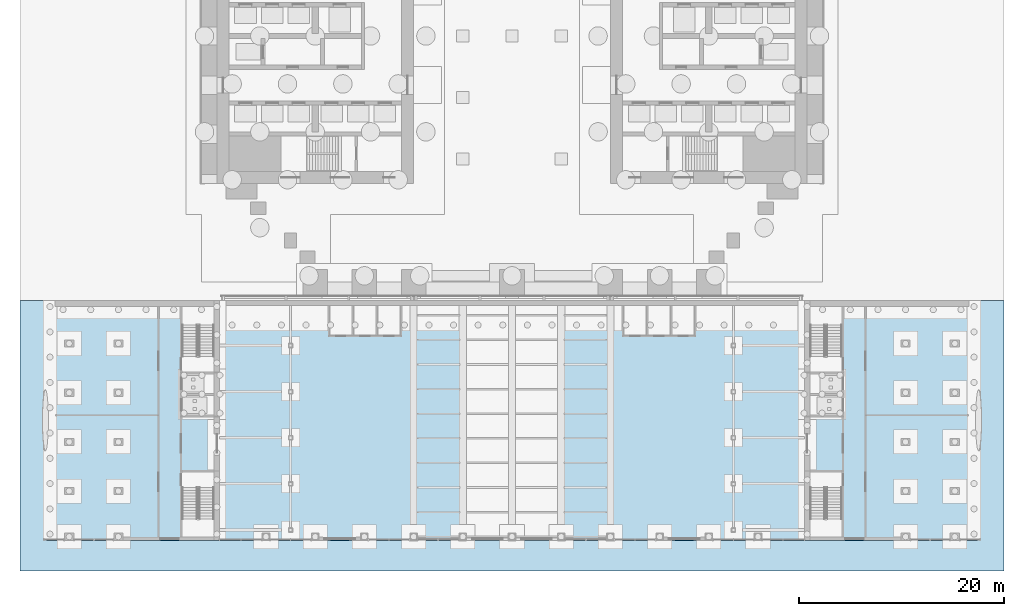
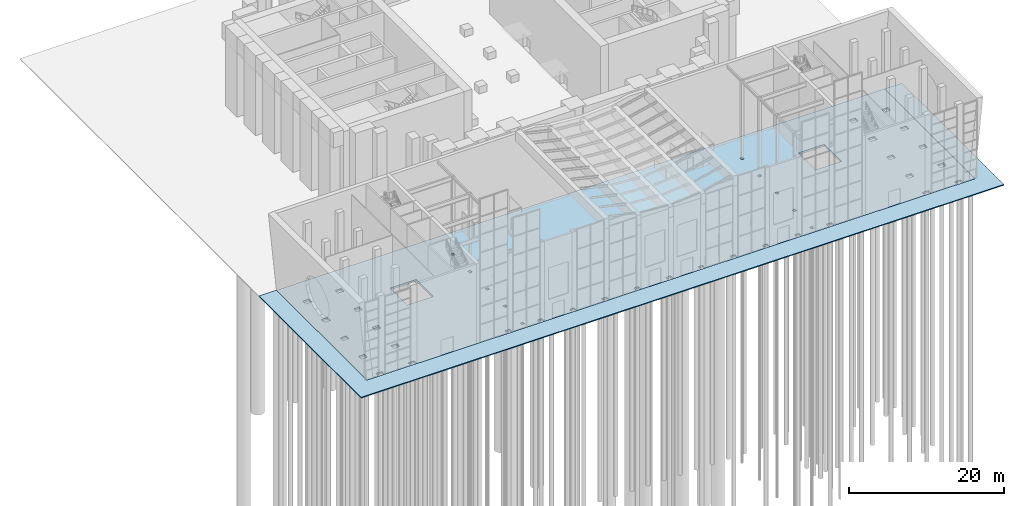
# One storey, part 40 of 58: 2 slabs.
"""IFC4 building model written with IfcOpenShell, lengths in metres."""

import ifcopenshell
import ifcopenshell.guid

model = None  # the IFC model being written
_history = None  # IfcOwnerHistory: only IFC2X3 demands one
_inside = {}  # id of a spatial element -> (the spatial element, [elements in it])
_under = {}  # id of a project, library or spatial element -> (it, [spatial elements below it])
_declared = {}  # id of a project -> (the project, [libraries it declares])
_typed = {}  # id of a type object -> (the type object, [elements of that type])
_made_of = {}  # id of a material, layer set ... -> (it, [elements and type objects made of it])


def new_model(schema):
    """Start an empty IFC model of exactly this schema.

    Asked for "IFC4X3", IfcOpenShell would pick the latest addendum, in which some entities
    have other attributes; the version numbers below select the first issue.
    IFC2X3 requires an IfcOwnerHistory on every rooted entity: one is made here for all.
    """
    global model, _history
    if schema == "IFC4X3":
        model = ifcopenshell.file(schema_version=(4, 3, 0, 0))
    else:
        model = ifcopenshell.file(schema=schema)
    _inside.clear()
    _under.clear()
    _declared.clear()
    _typed.clear()
    _made_of.clear()
    _history = None
    if model.schema == "IFC2X3":
        org = make("IfcOrganization", Name="unknown")
        user = make(
            "IfcPersonAndOrganization",
            ThePerson=make("IfcPerson", FamilyName="unknown"),
            TheOrganization=org,
        )
        app = make(
            "IfcApplication",
            ApplicationDeveloper=org,
            Version="unknown",
            ApplicationFullName="unknown",
            ApplicationIdentifier="unknown",
        )
        _history = make(
            "IfcOwnerHistory",
            OwningUser=user,
            OwningApplication=app,
            ChangeAction="ADDED",
            CreationDate=0,
        )
    return model


def make(cls, **values):
    """One entity of the class cls with the attributes given. An attribute that is None is left unset."""
    return model.create_entity(
        cls, **{name: value for name, value in values.items() if value is not None}
    )


def rooted(cls, **values):
    """An entity with a GlobalId (a new one), such as an element, a storey or a relation."""
    return make(cls, GlobalId=ifcopenshell.guid.new(), OwnerHistory=_history, **values)


def si_unit(unit_type, name, prefix=None):
    """IfcSIUnit, for example si_unit("LENGTHUNIT", "METRE", prefix="MILLI")."""
    return make("IfcSIUnit", UnitType=unit_type, Prefix=prefix, Name=name)


def assignment(units):
    """IfcUnitAssignment: the units of a project."""
    return None if units is None else make("IfcUnitAssignment", Units=units)


def point(xyz):
    """IfcCartesianPoint."""
    return None if xyz is None else make("IfcCartesianPoint", Coordinates=xyz)


def direction(xyz):
    """IfcDirection."""
    return None if xyz is None else make("IfcDirection", DirectionRatios=xyz)


def frame(location, z_axis=None, x_axis=None):
    """IfcAxis2Placement3D, a coordinate frame: its origin and axes. An axis left out is left unset."""
    return make(
        "IfcAxis2Placement3D",
        Location=point(location),
        Axis=direction(z_axis),
        RefDirection=direction(x_axis),
    )


def origin():
    """The frame at (0, 0, 0) with its axes left unset."""
    return frame((0.0, 0.0, 0.0))


def place(relative_to, where):
    """IfcLocalPlacement: puts the frame where relative to a parent placement (None: the world)."""
    return make(
        "IfcLocalPlacement", PlacementRelTo=relative_to, RelativePlacement=where
    )


def context(
    kind, dimensions, precision=None, world=None, true_north=None, identifier=None
):
    """IfcGeometricRepresentationContext, for example the 3D "Model" context."""
    return make(
        "IfcGeometricRepresentationContext",
        ContextIdentifier=identifier,
        ContextType=kind,
        CoordinateSpaceDimension=dimensions,
        Precision=precision,
        WorldCoordinateSystem=world,
        TrueNorth=true_north,
    )


def subcontext(parent, identifier, kind, view, scale=None):
    """IfcGeometricRepresentationSubContext, for example "Body" below "Model"."""
    return make(
        "IfcGeometricRepresentationSubContext",
        ContextIdentifier=identifier,
        ContextType=kind,
        ParentContext=parent,
        TargetScale=scale,
        TargetView=view,
    )


def project(units=None, contexts=None):
    """IfcProject with its units and contexts."""
    return rooted(
        "IfcProject",
        Name="project",
        RepresentationContexts=contexts,
        UnitsInContext=assignment(units),
    )


def spatial(cls, under=None, at=None, **own):
    """A site, building, storey or space (cls), placed at a placement, below another one or the project."""
    s = rooted(cls, ObjectPlacement=at, **own)
    if under is not None:
        _under.setdefault(under.id(), (under, []))[1].append(s)
    return s


def polyline(points):
    """IfcPolyline through the points."""
    return make("IfcPolyline", Points=[point(p) for p in points])


def outline(outer, holes=None, kind="AREA"):
    """IfcArbitraryClosedProfileDef: a profile drawn as a closed curve; with holes, ...WithVoids."""
    if holes is None:
        return make("IfcArbitraryClosedProfileDef", ProfileType=kind, OuterCurve=outer)
    return make(
        "IfcArbitraryProfileDefWithVoids",
        ProfileType=kind,
        OuterCurve=outer,
        InnerCurves=holes,
    )


def extrude(swept, where, along, depth):
    """IfcExtrudedAreaSolid: the profile swept, set in the frame where, extruded along a direction by depth."""
    return make(
        "IfcExtrudedAreaSolid",
        SweptArea=swept,
        Position=where,
        ExtrudedDirection=direction(along),
        Depth=depth,
    )


def shape(context_of_items, identifier, shape_type, items):
    """IfcShapeRepresentation: the items that make up one representation, for example the "Body"."""
    return make(
        "IfcShapeRepresentation",
        ContextOfItems=context_of_items,
        RepresentationIdentifier=identifier,
        RepresentationType=shape_type,
        Items=items,
    )


def material(Name=None, Category=None):
    """IfcMaterial."""
    return make("IfcMaterial", Name=Name, Category=Category)


def layer(
    of_material, thickness, ventilated=None, Name=None, Category=None, Priority=None
):
    """IfcMaterialLayer: one layer of a wall or slab, of a material (None: an air gap)."""
    return make(
        "IfcMaterialLayer",
        Material=of_material,
        LayerThickness=thickness,
        IsVentilated=ventilated,
        Name=Name,
        Category=Category,
        Priority=Priority,
    )


def layer_set(layers, Name=None):
    """IfcMaterialLayerSet."""
    return make("IfcMaterialLayerSet", MaterialLayers=layers, LayerSetName=Name)


def made_of(thing, what):
    """Note that an element or type object is made of a material, layer set ...; save() writes the relation."""
    if what is not None:
        _made_of.setdefault(what.id(), (what, []))[1].append(thing)
    return thing


def type_object(cls, material=None, **own):
    """A type object (cls), such as IfcWallType, which elements share."""
    return made_of(rooted(cls, **own), material)


def element(
    cls,
    number,
    at=None,
    inside=None,
    cuts=None,
    type_object=None,
    material=None,
    context=None,
    identifier="Body",
    shape_type=None,
    held_by="IfcProductDefinitionShape",
    body=None,
    shapes=None,
    **own,
):
    """One element of the class cls, such as IfcWall. Its Tag is "e" and its number.

    at: its placement. inside: the storey or other place that contains it. cuts: it is an
    opening in that element (IfcRelVoidsElement). A single representation is given by context,
    identifier, shape_type and body (its items); several are given by shapes. held_by: the class
    of the entity that holds the representations. save() writes the other relations.
    """
    e = rooted(cls, Tag="e%d" % number, ObjectPlacement=at, **own)
    if body is not None:
        shapes = [shape(context, identifier, shape_type, body)]
    if shapes is not None:
        e.Representation = make(held_by, Representations=shapes)
    if inside is not None:
        _inside.setdefault(inside.id(), (inside, []))[1].append(e)
    if cuts is not None:
        rooted(
            "IfcRelVoidsElement", RelatingBuildingElement=cuts, RelatedOpeningElement=e
        )
    if type_object is not None:
        _typed.setdefault(type_object.id(), (type_object, []))[1].append(e)
    return made_of(e, material)


def aggregate(whole, parts):
    """IfcRelAggregates: a whole, such as a stair, and the parts it consists of."""
    return rooted("IfcRelAggregates", RelatingObject=whole, RelatedObjects=parts)


def save(model, path):
    """Write the relations noted so far, then the file.

    IfcRelAggregates (storeys below a building ...), IfcRelContainedInSpatialStructure (elements
    in a storey), IfcRelDefinesByType, IfcRelAssociatesMaterial and IfcRelDeclares: one each for
    every whole, place, type object, material and project.
    """
    for whole, parts in _under.values():
        aggregate(whole, parts)
    for where, things in _inside.values():
        rooted(
            "IfcRelContainedInSpatialStructure",
            RelatedElements=things,
            RelatingStructure=where,
        )
    for kind, things in _typed.values():
        rooted("IfcRelDefinesByType", RelatedObjects=things, RelatingType=kind)
    for what, things in _made_of.values():
        rooted("IfcRelAssociatesMaterial", RelatedObjects=things, RelatingMaterial=what)
    for by, libraries in _declared.values():
        rooted("IfcRelDeclares", RelatingContext=by, RelatedDefinitions=libraries)
    model.write(path)


model = new_model("IFC4")

# Units and contexts
model_context = context("Model", 3, precision=1e-05, world=origin(), true_north=direction((0.0, 1.0)))
body_context = subcontext(model_context, "Body", "Model", "MODEL_VIEW")
ifc_project = project(units=[si_unit("LENGTHUNIT", "METRE"), si_unit("AREAUNIT", "SQUARE_METRE"), si_unit("VOLUMEUNIT", "CUBIC_METRE"), si_unit("PLANEANGLEUNIT", "RADIAN"), si_unit("MASSUNIT", "GRAM", prefix="KILO")], contexts=[model_context])

# Site, building, storey
site_placement = place(None, origin())
site = spatial("IfcSite", under=ifc_project, at=site_placement, CompositionType="ELEMENT")
building_placement = place(site_placement, origin())
building = spatial("IfcBuilding", under=site, at=building_placement, Name="Baori Bourse Tower", CompositionType="ELEMENT")
storey_placement = place(building_placement, origin())
storey = spatial("IfcBuildingStorey", under=building, at=storey_placement, Name="L00", CompositionType="ELEMENT", Elevation=0.0)

# Slabs
ifc_material_1 = material(Name="Granite paving", Category="masonry")
ifc_layer_1 = layer(ifc_material_1, 0.14990234375)
ifc_layer_set_1 = layer_set([ifc_layer_1], Name="Apron paving 150")
slab_type_1 = type_object("IfcSlabType", Name="Apron paving 150", PredefinedType="BASESLAB", material=ifc_layer_set_1)
slab_1_placement = place(storey_placement, frame((0.0, 0.0, -0.14990234375)))
element("IfcSlab", 1, at=slab_1_placement, inside=storey, type_object=slab_type_1, Name="Apron paving", PredefinedType="BASESLAB", context=body_context, shape_type="SweptSolid", body=[
    extrude(outline(polyline([(76.800048828125, -28.199951171875), (76.800048828125, -1.800048828125), (74.193603515625, -1.800048828125), (74.193603515625, -25.199951171875), (-16.593505859375, -25.199951171875), (-16.593505859375, -1.800048828125), (-19.199951171875, -1.800048828125), (-19.199951171875, -28.199951171875), (76.800048828125, -28.199951171875)])), origin(), (0.0, 0.0, 1.0), 0.14990234375),
])
ifc_material_2 = material(Name="Concrete f'c 40 MPa", Category="concrete")
ifc_layer_2 = layer(ifc_material_2, 0.300048828125)
ifc_layer_set_2 = layer_set([ifc_layer_2], Name="Wing ground slab 300")
slab_type_2 = type_object("IfcSlabType", Name="Wing ground slab 300", PredefinedType="BASESLAB", material=ifc_layer_set_2)
slab_2_placement = place(storey_placement, frame((0.0, 0.0, -0.300048828125)))
element("IfcSlab", 2, at=slab_2_placement, inside=storey, type_object=slab_type_2, Name="wing/L00/ground/001", PredefinedType="BASESLAB", context=body_context, shape_type="SweptSolid", body=[
    extrude(outline(polyline([(52.449951171875, -25.199951171875), (52.449951171875, -24.5), (53.14990234375, -24.5), (53.14990234375, -25.199951171875), (66.75, -25.199951171875), (66.75, -24.5), (67.64990234375, -24.5), (67.64990234375, -25.199951171875), (71.550048828125, -25.199951171875), (71.550048828125, -24.5), (72.449951171875, -24.5), (72.449951171875, -25.199951171875), (74.193603515625, -25.199951171875), (74.193603515625, -1.800048828125), (-16.593505859375, -1.800048828125), (-16.593505859375, -25.199951171875), (-14.85009765625, -25.199951171875), (-14.85009765625, -24.5), (-13.949951171875, -24.5), (-13.949951171875, -25.199951171875), (-10.050048828125, -25.199951171875), (-10.050048828125, -24.5), (-9.14990234375, -24.5), (-9.14990234375, -25.199951171875), (4.449951171875, -25.199951171875), (4.449951171875, -24.5), (5.14990234375, -24.5), (5.14990234375, -25.199951171875), (9.25, -25.199951171875), (9.25, -24.5), (9.949951171875, -24.5), (9.949951171875, -25.199951171875), (14.050048828125, -25.199951171875), (14.050048828125, -24.5), (14.75, -24.5), (14.75, -25.199951171875), (18.85009765625, -25.199951171875), (18.85009765625, -24.5), (19.550048828125, -24.5), (19.550048828125, -25.199951171875), (23.64990234375, -25.199951171875), (23.64990234375, -24.5), (24.35009765625, -24.5), (24.35009765625, -25.199951171875), (28.449951171875, -25.199951171875), (28.449951171875, -24.5), (29.14990234375, -24.5), (29.14990234375, -25.199951171875), (33.25, -25.199951171875), (33.25, -24.5), (33.949951171875, -24.5), (33.949951171875, -25.199951171875), (38.050048828125, -25.199951171875), (38.050048828125, -24.5), (38.75, -24.5), (38.75, -25.199951171875), (42.85009765625, -25.199951171875), (42.85009765625, -24.5), (43.550048828125, -24.5), (43.550048828125, -25.199951171875), (47.64990234375, -25.199951171875), (47.64990234375, -24.5), (48.35009765625, -24.5), (48.35009765625, -25.199951171875), (52.449951171875, -25.199951171875)]), holes=[polyline([(-14.85009765625, -20.75), (-13.949951171875, -20.75), (-13.949951171875, -20.050048828125), (-14.85009765625, -20.050048828125), (-14.85009765625, -20.75)]), polyline([(-14.85009765625, -15.25), (-14.85009765625, -15.949951171875), (-13.949951171875, -15.949951171875), (-13.949951171875, -15.25), (-14.85009765625, -15.25)]), polyline([(-13.949951171875, -10.449951171875), (-14.85009765625, -10.449951171875), (-14.85009765625, -11.14990234375), (-13.949951171875, -11.14990234375), (-13.949951171875, -10.449951171875)]), polyline([(-13.949951171875, -6.35009765625), (-13.949951171875, -5.64990234375), (-14.85009765625, -5.64990234375), (-14.85009765625, -6.35009765625), (-13.949951171875, -6.35009765625)]), polyline([(-10.050048828125, -20.050048828125), (-10.050048828125, -20.75), (-9.14990234375, -20.75), (-9.14990234375, -20.050048828125), (-10.050048828125, -20.050048828125)]), polyline([(-9.14990234375, -15.25), (-10.050048828125, -15.25), (-10.050048828125, -15.949951171875), (-9.14990234375, -15.949951171875), (-9.14990234375, -15.25)]), polyline([(-9.14990234375, -11.14990234375), (-9.14990234375, -10.449951171875), (-10.050048828125, -10.449951171875), (-10.050048828125, -11.14990234375), (-9.14990234375, -11.14990234375)]), polyline([(-10.050048828125, -6.35009765625), (-9.14990234375, -6.35009765625), (-9.14990234375, -5.64990234375), (-10.050048828125, -5.64990234375), (-10.050048828125, -6.35009765625)]), polyline([(72.449951171875, -20.050048828125), (71.550048828125, -20.050048828125), (71.550048828125, -20.75), (72.449951171875, -20.75), (72.449951171875, -20.050048828125)]), polyline([(72.449951171875, -15.949951171875), (72.449951171875, -15.25), (71.550048828125, -15.25), (71.550048828125, -15.949951171875), (72.449951171875, -15.949951171875)]), polyline([(71.550048828125, -11.14990234375), (72.449951171875, -11.14990234375), (72.449951171875, -10.449951171875), (71.550048828125, -10.449951171875), (71.550048828125, -11.14990234375)]), polyline([(71.550048828125, -5.64990234375), (71.550048828125, -6.35009765625), (72.449951171875, -6.35009765625), (72.449951171875, -5.64990234375), (71.550048828125, -5.64990234375)]), polyline([(67.64990234375, -20.75), (67.64990234375, -20.050048828125), (66.75, -20.050048828125), (66.75, -20.75), (67.64990234375, -20.75)]), polyline([(66.75, -15.949951171875), (67.64990234375, -15.949951171875), (67.64990234375, -15.25), (66.75, -15.25), (66.75, -15.949951171875)]), polyline([(66.75, -10.449951171875), (66.75, -11.14990234375), (67.64990234375, -11.14990234375), (67.64990234375, -10.449951171875), (66.75, -10.449951171875)]), polyline([(67.64990234375, -5.64990234375), (66.75, -5.64990234375), (66.75, -6.35009765625), (67.64990234375, -6.35009765625), (67.64990234375, -5.64990234375)]), polyline([(0.25, -13.159912109375), (0.25, -8.760009765625), (-3.60009765625, -8.760009765625), (-3.60009765625, -13.159912109375), (0.25, -13.159912109375)]), polyline([(57.35009765625, -13.159912109375), (61.199951171875, -13.159912109375), (61.199951171875, -8.760009765625), (57.35009765625, -8.760009765625), (57.35009765625, -13.159912109375)]), polyline([(7.0, -24.39990234375), (7.39990234375, -24.39990234375), (7.39990234375, -24.0), (7.0, -24.0), (7.0, -24.39990234375)]), polyline([(50.199951171875, -24.0), (50.199951171875, -24.39990234375), (50.60009765625, -24.39990234375), (50.60009765625, -24.0), (50.199951171875, -24.0)]), polyline([(7.39990234375, -19.5), (7.0, -19.5), (7.0, -19.89990234375), (7.39990234375, -19.89990234375), (7.39990234375, -19.5)]), polyline([(50.60009765625, -19.89990234375), (50.60009765625, -19.5), (50.199951171875, -19.5), (50.199951171875, -19.89990234375), (50.60009765625, -19.89990234375)]), polyline([(7.0, -15.39990234375), (7.39990234375, -15.39990234375), (7.39990234375, -15.0), (7.0, -15.0), (7.0, -15.39990234375)]), polyline([(50.199951171875, -15.0), (50.199951171875, -15.39990234375), (50.60009765625, -15.39990234375), (50.60009765625, -15.0), (50.199951171875, -15.0)]), polyline([(7.39990234375, -10.5), (7.0, -10.5), (7.0, -10.89990234375), (7.39990234375, -10.89990234375), (7.39990234375, -10.5)]), polyline([(50.60009765625, -10.89990234375), (50.60009765625, -10.5), (50.199951171875, -10.5), (50.199951171875, -10.89990234375), (50.60009765625, -10.89990234375)]), polyline([(7.0, -6.39990234375), (7.39990234375, -6.39990234375), (7.39990234375, -6.0), (7.0, -6.0), (7.0, -6.39990234375)]), polyline([(50.199951171875, -6.0), (50.199951171875, -6.39990234375), (50.60009765625, -6.39990234375), (50.60009765625, -6.0), (50.199951171875, -6.0)])]), origin(), (0.0, 0.0, 1.0), 0.300048828125),
])

save(model, "model.ifc")
